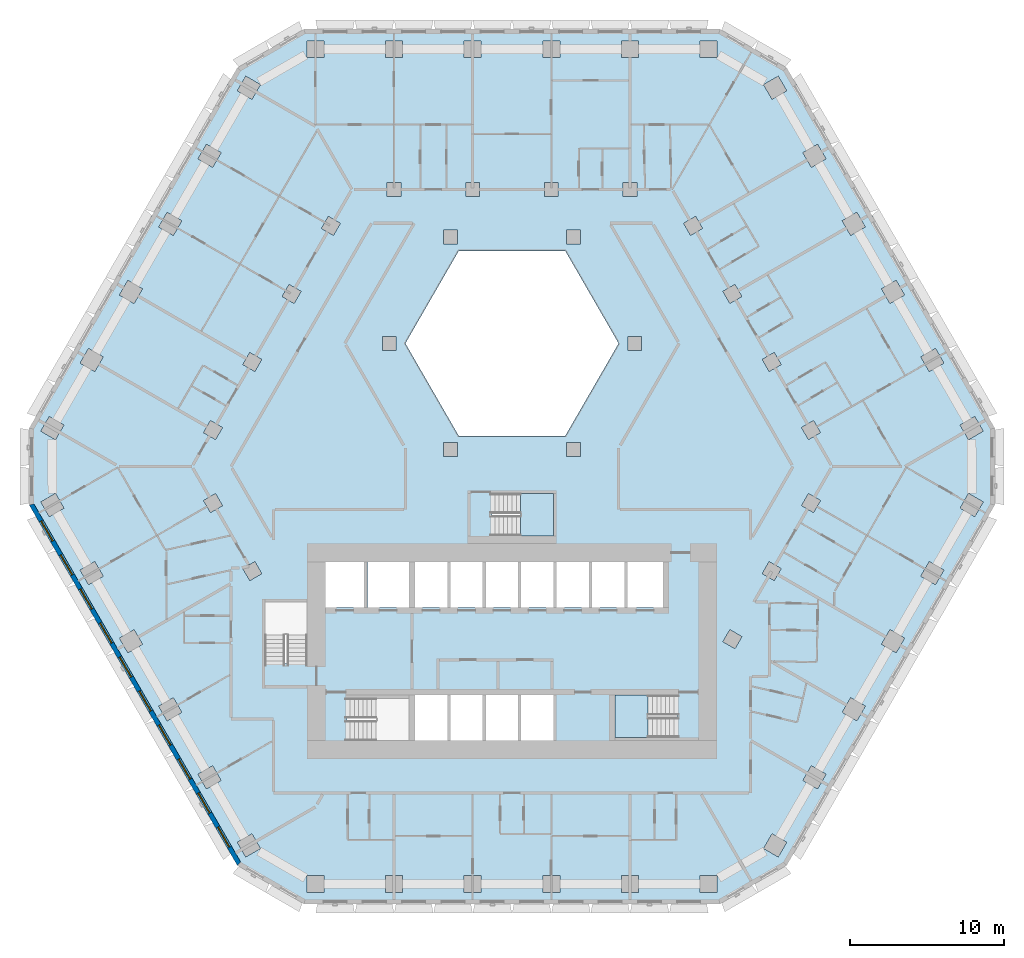
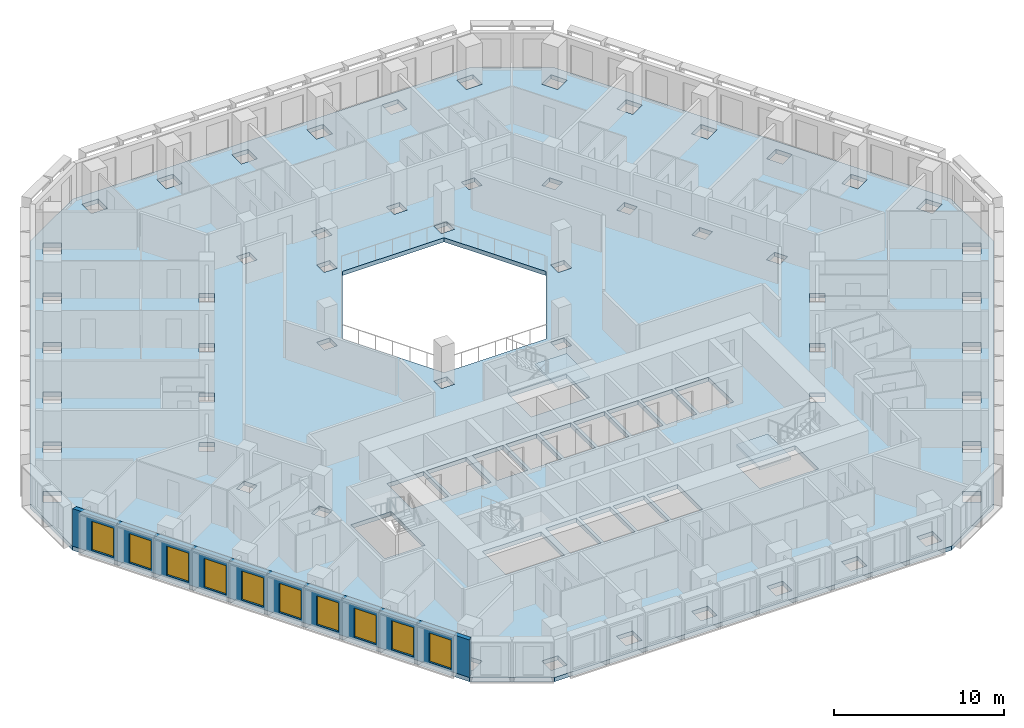
# One storey, part 2 of 21: 10 windows, 3 slabs, 1 wall, 10 openings, 2 elements without a shape of their own.
"""IFC4 building model written with IfcOpenShell, lengths in metres."""

from ifc_helpers import new_model, si_unit, direction, frame, frame_2d, origin, place, context, subcontext, project, spatial, polyline, rectangle, outline, extrude, material, layer, layer_set, type_object, element, fill, aggregate, save


model = new_model("IFC4")

# Units and contexts
model_context = context("Model", 3, precision=1e-05, world=origin(), true_north=direction((0.0, 1.0)))
body_context = subcontext(model_context, "Body", "Model", "MODEL_VIEW")
ifc_project = project(units=[si_unit("LENGTHUNIT", "METRE"), si_unit("AREAUNIT", "SQUARE_METRE"), si_unit("VOLUMEUNIT", "CUBIC_METRE"), si_unit("PLANEANGLEUNIT", "RADIAN"), si_unit("MASSUNIT", "GRAM", prefix="KILO")], contexts=[model_context])

# Site, building, storey
site_placement = place(None, origin())
site = spatial("IfcSite", under=ifc_project, at=site_placement, CompositionType="ELEMENT")
building_placement = place(site_placement, origin())
building = spatial("IfcBuilding", under=site, at=building_placement, Name="Beryl Residences", CompositionType="ELEMENT")
storey_placement = place(building_placement, frame((0.0, 0.0, 41.39990234375)))
storey = spatial("IfcBuildingStorey", under=building, at=storey_placement, Name="L12", CompositionType="ELEMENT", Elevation=41.39990234375)

# Slab
ifc_material_1 = material(Name="Concrete C40/50", Category="concrete")
ifc_layer_1 = layer(ifc_material_1, 0.300048828125)
ifc_layer_set_1 = layer_set([ifc_layer_1], Name="SL7 PT floor slab 300 mm C40/50")
slab_type_1 = type_object("IfcSlabType", Name="SL7 PT floor slab 300 mm C40/50", PredefinedType="FLOOR", material=ifc_layer_set_1)
slab_1_placement = place(storey_placement, frame((0.0, 0.0, -0.2998046875)))
element("IfcSlab", 1, at=slab_1_placement, inside=storey, type_object=slab_type_1, Name="L12 slab 1", PredefinedType="FLOOR", context=body_context, shape_type="SweptSolid", body=[
    extrude(outline(polyline([(31.35009765625, -2.5), (17.840087890625, -25.89990234375), (13.510009765625, -28.39990234375), (-13.510009765625, -28.39990234375), (-17.840087890625, -25.89990234375), (-31.35009765625, -2.5), (-31.35009765625, 2.5), (-17.840087890625, 25.89990234375), (-13.510009765625, 28.39990234375), (13.510009765625, 28.39990234375), (17.840087890625, 25.89990234375), (31.35009765625, 2.5), (31.35009765625, -2.5)]), holes=[polyline([(30.60009765625, -2.298095703125), (29.64794921875, -1.748046875), (29.097900390625, -2.699951171875), (30.050048828125, -3.25), (30.60009765625, -2.298095703125)]), polyline([(30.59912109375, 2.299072265625), (30.049072265625, 3.2509765625), (29.096923828125, 2.700927734375), (29.64697265625, 1.7490234375), (30.59912109375, 2.299072265625)]), polyline([(28.049072265625, -6.718017578125), (27.096923828125, -6.16796875), (26.547119140625, -7.1201171875), (27.4990234375, -7.669921875), (28.049072265625, -6.718017578125)]), polyline([(27.498046875, 7.672119140625), (26.5458984375, 7.1220703125), (27.095947265625, 6.169921875), (28.048095703125, 6.719970703125), (27.498046875, 7.672119140625)]), polyline([(24.544921875, -10.587890625), (23.9951171875, -11.5400390625), (24.947021484375, -12.090087890625), (25.4970703125, -11.137939453125), (24.544921875, -10.587890625)]), polyline([(25.49609375, 11.139892578125), (24.946044921875, 12.092041015625), (23.993896484375, 11.5419921875), (24.5439453125, 10.590087890625), (25.49609375, 11.139892578125)]), polyline([(22.39501953125, -16.510009765625), (22.945068359375, -15.55810546875), (21.992919921875, -15.008056640625), (21.443115234375, -15.9599609375), (22.39501953125, -16.510009765625)]), polyline([(22.39404296875, 16.511962890625), (21.44189453125, 15.9619140625), (21.991943359375, 15.010009765625), (22.944091796875, 15.56005859375), (22.39404296875, 16.511962890625)]), polyline([(20.39306640625, -19.97900390625), (19.44091796875, -19.428955078125), (18.89111328125, -20.381103515625), (19.843017578125, -20.930908203125), (20.39306640625, -19.97900390625)]), polyline([(19.842041015625, 20.931884765625), (18.889892578125, 20.382080078125), (19.43994140625, 19.429931640625), (20.39208984375, 19.97998046875), (19.842041015625, 20.931884765625)]), polyline([(20.031982421875, -2.2041015625), (19.251953125, -1.75390625), (18.802001953125, -2.533935546875), (19.58203125, -2.98388671875), (20.031982421875, -2.2041015625)]), polyline([(20.031005859375, 2.2060546875), (19.5810546875, 2.986083984375), (18.801025390625, 2.535888671875), (19.2509765625, 1.756103515625), (20.031005859375, 2.2060546875)]), polyline([(17.841064453125, -24.39892578125), (16.888916015625, -23.84912109375), (16.339111328125, -24.801025390625), (17.291015625, -25.35107421875), (17.841064453125, -24.39892578125)]), polyline([(17.840087890625, 24.39990234375), (17.2900390625, 25.35205078125), (16.337890625, 24.802001953125), (16.887939453125, 23.85009765625), (17.840087890625, 24.39990234375)]), polyline([(17.47998046875, -6.6240234375), (16.699951171875, -6.174072265625), (16.25, -6.9541015625), (17.030029296875, -7.404052734375), (17.47998046875, -6.6240234375)]), polyline([(17.029052734375, 7.406005859375), (16.2490234375, 6.9560546875), (16.698974609375, 6.176025390625), (17.47900390625, 6.6259765625), (17.029052734375, 7.406005859375)]), polyline([(14.927978515625, -11.0439453125), (14.14794921875, -10.593994140625), (13.697998046875, -11.3740234375), (14.47802734375, -11.823974609375), (14.927978515625, -11.0439453125)]), polyline([(14.927001953125, 11.0458984375), (14.47705078125, 11.825927734375), (13.697021484375, 11.3759765625), (14.14697265625, 10.595947265625), (14.927001953125, 11.0458984375)]), polyline([(13.31103515625, -27.64990234375), (13.31103515625, -26.550048828125), (12.2109375, -26.550048828125), (12.2109375, -27.64990234375), (13.31103515625, -27.64990234375)]), polyline([(13.30908203125, 27.64990234375), (12.208984375, 27.64990234375), (12.208984375, 26.550048828125), (13.30908203125, 26.550048828125), (13.30908203125, 27.64990234375)]), polyline([(11.925048828125, 16.24609375), (11.14501953125, 15.7958984375), (11.594970703125, 15.01611328125), (12.375, 15.466064453125), (11.925048828125, 16.24609375)]), polyline([(10.699951171875, -14.85009765625), (6.699951171875, -14.85009765625), (6.699951171875, -17.60009765625), (10.699951171875, -17.60009765625), (10.699951171875, -14.85009765625)]), polyline([(9.800048828125, -6.199951171875), (7.5, -6.199951171875), (7.5, -9.14990234375), (9.800048828125, -9.14990234375), (9.800048828125, -6.199951171875)]), polyline([(8.4169921875, 7.550048828125), (8.4169921875, 8.449951171875), (7.51708984375, 8.449951171875), (7.51708984375, 7.550048828125), (8.4169921875, 7.550048828125)]), polyline([(7.10693359375, -27.64990234375), (8.20703125, -27.64990234375), (8.20703125, -26.550048828125), (7.10693359375, -26.550048828125), (7.10693359375, -27.64990234375)]), polyline([(8.205078125, 27.64990234375), (7.10498046875, 27.64990234375), (7.10498046875, 26.550048828125), (8.205078125, 26.550048828125), (8.205078125, 27.64990234375)]), polyline([(7.205078125, 18.449951171875), (7.205078125, 17.550048828125), (8.10498046875, 17.550048828125), (8.10498046875, 18.449951171875), (7.205078125, 18.449951171875)]), polyline([(5.199951171875, -9.14990234375), (7.300048828125, -9.14990234375), (7.300048828125, -6.199951171875), (5.199951171875, -6.199951171875), (5.199951171875, -9.14990234375)]), polyline([(3.464111328125, 14.0), (-3.464111328125, 14.0), (-6.92822265625, 8.0), (-3.464111328125, 2.0), (3.464111328125, 2.0), (6.92822265625, 8.0), (3.464111328125, 14.0)]), polyline([(2.89990234375, -6.199951171875), (2.89990234375, -9.14990234375), (5.0, -9.14990234375), (5.0, -6.199951171875), (2.89990234375, -6.199951171875)]), polyline([(4.43408203125, 15.35009765625), (3.533935546875, 15.35009765625), (3.533935546875, 14.449951171875), (4.43408203125, 14.449951171875), (4.43408203125, 15.35009765625)]), polyline([(4.43408203125, 0.64990234375), (4.43408203125, 1.550048828125), (3.533935546875, 1.550048828125), (3.533935546875, 0.64990234375), (4.43408203125, 0.64990234375)]), polyline([(3.10302734375, -27.64990234375), (3.10302734375, -26.550048828125), (2.0029296875, -26.550048828125), (2.0029296875, -27.64990234375), (3.10302734375, -27.64990234375)]), polyline([(2.0009765625, 27.64990234375), (2.0009765625, 26.550048828125), (3.10107421875, 26.550048828125), (3.10107421875, 27.64990234375), (2.0009765625, 27.64990234375)]), polyline([(3.0009765625, 18.449951171875), (2.10107421875, 18.449951171875), (2.10107421875, 17.550048828125), (3.0009765625, 17.550048828125), (3.0009765625, 18.449951171875)]), polyline([(-1.300048828125, -1.75), (-1.300048828125, -4.5), (2.699951171875, -4.5), (2.699951171875, -1.75), (-1.300048828125, -1.75)]), polyline([(0.60009765625, -9.14990234375), (2.699951171875, -9.14990234375), (2.699951171875, -6.199951171875), (0.60009765625, -6.199951171875), (0.60009765625, -9.14990234375)]), polyline([(0.60009765625, -17.800048828125), (2.699951171875, -17.800048828125), (2.699951171875, -14.85009765625), (0.60009765625, -14.85009765625), (0.60009765625, -17.800048828125)]), polyline([(-1.699951171875, -6.199951171875), (-1.699951171875, -9.14990234375), (0.39990234375, -9.14990234375), (0.39990234375, -6.199951171875), (-1.699951171875, -6.199951171875)]), polyline([(-1.699951171875, -14.85009765625), (-1.699951171875, -17.800048828125), (0.39990234375, -17.800048828125), (0.39990234375, -14.85009765625), (-1.699951171875, -14.85009765625)]), polyline([(-4.0, -9.14990234375), (-1.89990234375, -9.14990234375), (-1.89990234375, -6.199951171875), (-4.0, -6.199951171875), (-4.0, -9.14990234375)]), polyline([(-4.0, -17.800048828125), (-1.89990234375, -17.800048828125), (-1.89990234375, -14.85009765625), (-4.0, -14.85009765625), (-4.0, -17.800048828125)]), polyline([(-2.0009765625, -27.64990234375), (-2.0009765625, -26.550048828125), (-3.10107421875, -26.550048828125), (-3.10107421875, -27.64990234375), (-2.0009765625, -27.64990234375)]), polyline([(-3.10302734375, 27.64990234375), (-3.10302734375, 26.550048828125), (-2.0029296875, 26.550048828125), (-2.0029296875, 27.64990234375), (-3.10302734375, 27.64990234375)]), polyline([(-2.10302734375, 18.449951171875), (-3.0029296875, 18.449951171875), (-3.0029296875, 17.550048828125), (-2.10302734375, 17.550048828125), (-2.10302734375, 18.449951171875)]), polyline([(-3.533935546875, 14.449951171875), (-3.533935546875, 15.35009765625), (-4.43408203125, 15.35009765625), (-4.43408203125, 14.449951171875), (-3.533935546875, 14.449951171875)]), polyline([(-3.533935546875, 0.64990234375), (-3.533935546875, 1.550048828125), (-4.43408203125, 1.550048828125), (-4.43408203125, 0.64990234375), (-3.533935546875, 0.64990234375)]), polyline([(-6.300048828125, -9.14990234375), (-4.199951171875, -9.14990234375), (-4.199951171875, -6.199951171875), (-6.300048828125, -6.199951171875), (-6.300048828125, -9.14990234375)]), polyline([(-6.300048828125, -14.85009765625), (-6.300048828125, -17.800048828125), (-4.199951171875, -17.800048828125), (-4.199951171875, -14.85009765625), (-6.300048828125, -14.85009765625)]), polyline([(-6.699951171875, -17.800048828125), (-6.699951171875, -15.050048828125), (-10.699951171875, -15.050048828125), (-10.699951171875, -17.800048828125), (-6.699951171875, -17.800048828125)]), polyline([(-9.39990234375, -6.199951171875), (-9.39990234375, -9.14990234375), (-6.699951171875, -9.14990234375), (-6.699951171875, -6.199951171875), (-9.39990234375, -6.199951171875)]), polyline([(-8.205078125, -27.64990234375), (-7.10498046875, -27.64990234375), (-7.10498046875, -26.550048828125), (-8.205078125, -26.550048828125), (-8.205078125, -27.64990234375)]), polyline([(-7.10693359375, 27.64990234375), (-8.20703125, 27.64990234375), (-8.20703125, 26.550048828125), (-7.10693359375, 26.550048828125), (-7.10693359375, 27.64990234375)]), polyline([(-8.10693359375, 18.449951171875), (-8.10693359375, 17.550048828125), (-7.20703125, 17.550048828125), (-7.20703125, 18.449951171875), (-8.10693359375, 18.449951171875)]), polyline([(-8.4169921875, 7.550048828125), (-7.51708984375, 7.550048828125), (-7.51708984375, 8.449951171875), (-8.4169921875, 8.449951171875), (-8.4169921875, 7.550048828125)]), polyline([(-12.10009765625, -6.199951171875), (-12.10009765625, -9.14990234375), (-9.60009765625, -9.14990234375), (-9.60009765625, -6.199951171875), (-12.10009765625, -6.199951171875)]), polyline([(-12.3759765625, 15.465087890625), (-11.595947265625, 15.014892578125), (-11.14599609375, 15.794921875), (-11.926025390625, 16.2451171875), (-12.3759765625, 15.465087890625)]), polyline([(-12.208984375, -26.550048828125), (-13.30908203125, -26.550048828125), (-13.30908203125, -27.64990234375), (-12.208984375, -27.64990234375), (-12.208984375, -26.550048828125)]), polyline([(-13.31103515625, 27.64990234375), (-13.31103515625, 26.550048828125), (-12.2109375, 26.550048828125), (-12.2109375, 27.64990234375), (-13.31103515625, 27.64990234375)]), polyline([(-13.300048828125, -8.800048828125), (-16.050048828125, -8.800048828125), (-16.050048828125, -12.800048828125), (-13.300048828125, -12.800048828125), (-13.300048828125, -8.800048828125)]), polyline([(-14.47802734375, 11.823974609375), (-14.927978515625, 11.0439453125), (-14.14794921875, 10.593994140625), (-13.697998046875, 11.3740234375), (-14.47802734375, 11.823974609375)]), polyline([(-17.029052734375, -7.406005859375), (-16.2490234375, -6.9560546875), (-16.698974609375, -6.176025390625), (-17.47900390625, -6.6259765625), (-17.029052734375, -7.406005859375)]), polyline([(-17.47998046875, 6.6240234375), (-16.699951171875, 6.174072265625), (-16.25, 6.9541015625), (-17.030029296875, 7.404052734375), (-17.47998046875, 6.6240234375)]), polyline([(-17.2900390625, -25.35205078125), (-16.337890625, -24.802001953125), (-16.887939453125, -23.85009765625), (-17.840087890625, -24.39990234375), (-17.2900390625, -25.35205078125)]), polyline([(-17.841064453125, 24.39892578125), (-16.888916015625, 23.84912109375), (-16.339111328125, 24.801025390625), (-17.291015625, 25.35107421875), (-17.841064453125, 24.39892578125)]), polyline([(-20.031005859375, -2.2060546875), (-19.5810546875, -2.986083984375), (-18.801025390625, -2.535888671875), (-19.2509765625, -1.756103515625), (-20.031005859375, -2.2060546875)]), polyline([(-19.58203125, 2.98388671875), (-20.031982421875, 2.2041015625), (-19.251953125, 1.75390625), (-18.802001953125, 2.533935546875), (-19.58203125, 2.98388671875)]), polyline([(-19.842041015625, -20.931884765625), (-18.889892578125, -20.382080078125), (-19.43994140625, -19.429931640625), (-20.39208984375, -19.97998046875), (-19.842041015625, -20.931884765625)]), polyline([(-20.39306640625, 19.97900390625), (-19.44091796875, 19.428955078125), (-18.89111328125, 20.381103515625), (-19.843017578125, 20.930908203125), (-20.39306640625, 19.97900390625)]), polyline([(-22.39404296875, -16.511962890625), (-21.44189453125, -15.9619140625), (-21.991943359375, -15.010009765625), (-22.944091796875, -15.56005859375), (-22.39404296875, -16.511962890625)]), polyline([(-22.945068359375, 15.55810546875), (-21.992919921875, 15.008056640625), (-21.443115234375, 15.9599609375), (-22.39501953125, 16.510009765625), (-22.945068359375, 15.55810546875)]), polyline([(-24.946044921875, -12.092041015625), (-23.993896484375, -11.5419921875), (-24.5439453125, -10.590087890625), (-25.49609375, -11.139892578125), (-24.946044921875, -12.092041015625)]), polyline([(-24.544921875, 10.587890625), (-23.9951171875, 11.5400390625), (-24.947021484375, 12.090087890625), (-25.4970703125, 11.137939453125), (-24.544921875, 10.587890625)]), polyline([(-27.498046875, -7.672119140625), (-26.5458984375, -7.1220703125), (-27.095947265625, -6.169921875), (-28.048095703125, -6.719970703125), (-27.498046875, -7.672119140625)]), polyline([(-28.049072265625, 6.718017578125), (-27.096923828125, 6.16796875), (-26.547119140625, 7.1201171875), (-27.4990234375, 7.669921875), (-28.049072265625, 6.718017578125)]), polyline([(-29.096923828125, -2.700927734375), (-29.64697265625, -1.7490234375), (-30.59912109375, -2.299072265625), (-30.049072265625, -3.2509765625), (-29.096923828125, -2.700927734375)]), polyline([(-30.60009765625, 2.298095703125), (-29.64794921875, 1.748046875), (-29.097900390625, 2.699951171875), (-30.050048828125, 3.25), (-30.60009765625, 2.298095703125)])]), origin(), (0.0, 0.0, 1.0), 0.2998046875),
])

# Stair, slab
ifc_material_2 = material(Name="Concrete C40/50", Category="concrete")
stair_type = type_object("IfcStairType", Name="ST1 protected exit stair, half-turn, 1300 mm flights", PredefinedType="HALF_TURN_STAIR", material=ifc_material_2)
stair_1_placement = place(storey_placement, origin())
stair_1 = element("IfcStair", 2, at=stair_1_placement, inside=storey, type_object=stair_type, Name="L12 PROTECTED EXIT STAIR ST-3", PredefinedType="HALF_TURN_STAIR")
ifc_material_3 = material(Name="Concrete C40/50", Category="concrete")
ifc_layer_2 = layer(ifc_material_3, 0.199951171875)
ifc_layer_set_2 = layer_set([ifc_layer_2], Name="SLD1 stair landing 200 mm")
slab_type_2 = type_object("IfcSlabType", Name="SLD1 stair landing 200 mm", PredefinedType="LANDING", material=ifc_layer_set_2)
slab_2_placement = place(storey_placement, frame((0.0, 0.0, 1.300048828125)))
slab_2 = element("IfcSlab", 3, at=slab_2_placement, type_object=slab_type_2, Name="ST-3 landing 1", PredefinedType="LANDING", context=body_context, shape_type="SweptSolid", body=[
    extrude(outline(polyline([(8.840087890625, -14.85009765625), (6.699951171875, -14.85009765625), (6.699951171875, -17.60009765625), (8.840087890625, -17.60009765625), (8.840087890625, -14.85009765625)])), origin(), (0.0, 0.0, 1.0), 0.199951171875),
])
aggregate(stair_1, [slab_2])

stair_2_placement = place(storey_placement, origin())
stair_2 = element("IfcStair", 4, at=stair_2_placement, inside=storey, type_object=stair_type, Name="L12 PROTECTED EXIT STAIR ST-4", PredefinedType="HALF_TURN_STAIR")
slab_3_placement = place(storey_placement, frame((0.0, 0.0, 1.300048828125)))
slab_3 = element("IfcSlab", 5, at=slab_3_placement, type_object=slab_type_2, Name="ST-4 landing 1", PredefinedType="LANDING", context=body_context, shape_type="SweptSolid", body=[
    extrude(outline(polyline([(0.56005859375, -4.5), (2.699951171875, -4.5), (2.699951171875, -1.75), (0.56005859375, -1.75), (0.56005859375, -4.5)])), origin(), (0.0, 0.0, 1.0), 0.199951171875),
])
aggregate(stair_2, [slab_3])

# Wall, openings, windows
ifc_material_4 = material(Name="Composite metal panel with mineral wool insulation")
ifc_layer_3 = layer(ifc_material_4, 0.300048828125)
ifc_layer_set_3 = layer_set([ifc_layer_3], Name="ES1 pale metal composite panel wall 300 mm")
wall_type = type_object("IfcWallType", Name="ES1 pale metal composite panel wall 300 mm", PredefinedType="SOLIDWALL", material=ifc_layer_set_3)
wall_placement = place(storey_placement, frame((-31.219970703125, -2.425048828125, 0.0), z_axis=(0.0, 0.0, 1.0), x_axis=(0.500001938803, -0.866024284413, 0.0)))
wall = element("IfcWall", 6, at=wall_placement, inside=storey, type_object=wall_type, Name="ES1 external wall L12 SW", PredefinedType="SOLIDWALL", context=body_context, shape_type="SweptSolid", body=[
    extrude(outline(polyline([(0.0, -0.14990234375), (27.02001953125, -0.14990234375), (26.939697265625, 0.14990234375), (0.080322265625, 0.14990234375), (0.0, -0.14990234375)])), origin(), (0.0, 0.0, 1.0), 2.7001953125),
])
opening_1_placement = place(wall_placement, frame((1.277099609375, 0.0, 0.14990234375)))
opening_1 = element("IfcOpeningElement", 7, at=opening_1_placement, cuts=wall, Name="Opening W1", PredefinedType="OPENING", context=body_context, shape_type="SweptSolid", body=[
    extrude(rectangle(XDim=1.5, YDim=2.10009765625, at=frame_2d((0.75, 1.050048828125))), frame((0.0, 0.159912109375, 0.0), z_axis=(0.0, -1.0, 0.0), x_axis=(1.0, 0.0, 0.0)), (0.0, 0.0, 1.0), 0.320068359375),
])
opening_2_placement = place(wall_placement, frame((3.8291015625, 0.0, 0.14990234375)))
opening_2 = element("IfcOpeningElement", 8, at=opening_2_placement, cuts=wall, Name="Opening W1", PredefinedType="OPENING", context=body_context, shape_type="SweptSolid", body=[
    extrude(rectangle(XDim=1.5, YDim=2.10009765625, at=frame_2d((0.75, 1.050048828125))), frame((0.0, 0.159912109375, 0.0), z_axis=(0.0, -1.0, 0.0), x_axis=(1.0, 0.0, 0.0)), (0.0, 0.0, 1.0), 0.320068359375),
])
opening_3_placement = place(wall_placement, frame((6.382080078125, 0.0, 0.14990234375)))
opening_3 = element("IfcOpeningElement", 9, at=opening_3_placement, cuts=wall, Name="Opening W1", PredefinedType="OPENING", context=body_context, shape_type="SweptSolid", body=[
    extrude(rectangle(XDim=1.5, YDim=2.10009765625, at=frame_2d((0.75, 1.050048828125))), frame((0.0, 0.159912109375, 0.0), z_axis=(0.0, -1.0, 0.0), x_axis=(1.0, 0.0, 0.0)), (0.0, 0.0, 1.0), 0.320068359375),
])
opening_4_placement = place(wall_placement, frame((8.93310546875, 0.0, 0.14990234375)))
opening_4 = element("IfcOpeningElement", 10, at=opening_4_placement, cuts=wall, Name="Opening W1", PredefinedType="OPENING", context=body_context, shape_type="SweptSolid", body=[
    extrude(rectangle(XDim=1.5, YDim=2.10009765625, at=frame_2d((0.75, 1.050048828125))), frame((0.0, 0.159912109375, 0.0), z_axis=(0.0, -1.0, 0.0), x_axis=(1.0, 0.0, 0.0)), (0.0, 0.0, 1.0), 0.320068359375),
])
opening_5_placement = place(wall_placement, frame((11.485107421875, 0.0, 0.14990234375)))
opening_5 = element("IfcOpeningElement", 11, at=opening_5_placement, cuts=wall, Name="Opening W1", PredefinedType="OPENING", context=body_context, shape_type="SweptSolid", body=[
    extrude(rectangle(XDim=1.5, YDim=2.10009765625, at=frame_2d((0.75, 1.050048828125))), frame((0.0, 0.159912109375, 0.0), z_axis=(0.0, -1.0, 0.0), x_axis=(1.0, 0.0, 0.0)), (0.0, 0.0, 1.0), 0.320068359375),
])
opening_6_placement = place(wall_placement, frame((14.037109375, 0.0, 0.14990234375)))
opening_6 = element("IfcOpeningElement", 12, at=opening_6_placement, cuts=wall, Name="Opening W1", PredefinedType="OPENING", context=body_context, shape_type="SweptSolid", body=[
    extrude(rectangle(XDim=1.5, YDim=2.10009765625, at=frame_2d((0.75, 1.050048828125))), frame((0.0, 0.159912109375, 0.0), z_axis=(0.0, -1.0, 0.0), x_axis=(1.0, 0.0, 0.0)), (0.0, 0.0, 1.0), 0.320068359375),
])
opening_7_placement = place(wall_placement, frame((16.589111328125, 0.0, 0.14990234375)))
opening_7 = element("IfcOpeningElement", 13, at=opening_7_placement, cuts=wall, Name="Opening W1", PredefinedType="OPENING", context=body_context, shape_type="SweptSolid", body=[
    extrude(rectangle(XDim=1.5, YDim=2.10009765625, at=frame_2d((0.75, 1.050048828125))), frame((0.0, 0.159912109375, 0.0), z_axis=(0.0, -1.0, 0.0), x_axis=(1.0, 0.0, 0.0)), (0.0, 0.0, 1.0), 0.320068359375),
])
opening_8_placement = place(wall_placement, frame((19.14111328125, 0.0, 0.14990234375)))
opening_8 = element("IfcOpeningElement", 14, at=opening_8_placement, cuts=wall, Name="Opening W1", PredefinedType="OPENING", context=body_context, shape_type="SweptSolid", body=[
    extrude(rectangle(XDim=1.5, YDim=2.10009765625, at=frame_2d((0.75, 1.050048828125))), frame((0.0, 0.159912109375, 0.0), z_axis=(0.0, -1.0, 0.0), x_axis=(1.0, 0.0, 0.0)), (0.0, 0.0, 1.0), 0.320068359375),
])
opening_9_placement = place(wall_placement, frame((21.693115234375, 0.0, 0.14990234375)))
opening_9 = element("IfcOpeningElement", 15, at=opening_9_placement, cuts=wall, Name="Opening W1", PredefinedType="OPENING", context=body_context, shape_type="SweptSolid", body=[
    extrude(rectangle(XDim=1.5, YDim=2.10009765625, at=frame_2d((0.75, 1.050048828125))), frame((0.0, 0.159912109375, 0.0), z_axis=(0.0, -1.0, 0.0), x_axis=(1.0, 0.0, 0.0)), (0.0, 0.0, 1.0), 0.320068359375),
])
opening_10_placement = place(wall_placement, frame((24.243896484375, 0.0, 0.14990234375)))
opening_10 = element("IfcOpeningElement", 16, at=opening_10_placement, cuts=wall, Name="Opening W1", PredefinedType="OPENING", context=body_context, shape_type="SweptSolid", body=[
    extrude(rectangle(XDim=1.5, YDim=2.10009765625, at=frame_2d((0.75, 1.050048828125))), frame((0.0, 0.159912109375, 0.0), z_axis=(0.0, -1.0, 0.0), x_axis=(1.0, 0.0, 0.0)), (0.0, 0.0, 1.0), 0.320068359375),
])
ifc_material_5 = material(Name="Aluminium and clear glass", Category="aluminium")
window_type = type_object("IfcWindowType", Name="W1 cell window 1500 x 2100 mm", PartitioningType="SINGLE_PANEL", PredefinedType="WINDOW", material=ifc_material_5)
window_1_placement = place(opening_1_placement, origin())
window_1 = element("IfcWindow", 17, at=window_1_placement, inside=storey, type_object=window_type, Name="W1 window L12 SW 1", OverallHeight=2.10009765625, OverallWidth=1.5, PartitioningType="SINGLE_PANEL", PredefinedType="WINDOW", context=body_context, shape_type="SweptSolid", body=[
    extrude(rectangle(XDim=1.5, YDim=2.10009765625, at=frame_2d((0.75, 1.050048828125))), frame((0.0, 0.030029296875, 0.0), z_axis=(0.0, -1.0, 0.0), x_axis=(1.0, 0.0, 0.0)), (0.0, 0.0, 1.0), 0.06005859375),
])
fill(opening_1, window_1)
window_2_placement = place(opening_2_placement, origin())
window_2 = element("IfcWindow", 18, at=window_2_placement, inside=storey, type_object=window_type, Name="W1 window L12 SW 2", OverallHeight=2.10009765625, OverallWidth=1.5, PartitioningType="SINGLE_PANEL", PredefinedType="WINDOW", context=body_context, shape_type="SweptSolid", body=[
    extrude(rectangle(XDim=1.5, YDim=2.10009765625, at=frame_2d((0.75, 1.050048828125))), frame((0.0, 0.030029296875, 0.0), z_axis=(0.0, -1.0, 0.0), x_axis=(1.0, 0.0, 0.0)), (0.0, 0.0, 1.0), 0.06005859375),
])
fill(opening_2, window_2)
window_3_placement = place(opening_3_placement, origin())
window_3 = element("IfcWindow", 19, at=window_3_placement, inside=storey, type_object=window_type, Name="W1 window L12 SW 3", OverallHeight=2.10009765625, OverallWidth=1.5, PartitioningType="SINGLE_PANEL", PredefinedType="WINDOW", context=body_context, shape_type="SweptSolid", body=[
    extrude(rectangle(XDim=1.5, YDim=2.10009765625, at=frame_2d((0.75, 1.050048828125))), frame((0.0, 0.030029296875, 0.0), z_axis=(0.0, -1.0, 0.0), x_axis=(1.0, 0.0, 0.0)), (0.0, 0.0, 1.0), 0.06005859375),
])
fill(opening_3, window_3)
window_4_placement = place(opening_4_placement, origin())
window_4 = element("IfcWindow", 20, at=window_4_placement, inside=storey, type_object=window_type, Name="W1 window L12 SW 4", OverallHeight=2.10009765625, OverallWidth=1.5, PartitioningType="SINGLE_PANEL", PredefinedType="WINDOW", context=body_context, shape_type="SweptSolid", body=[
    extrude(rectangle(XDim=1.5, YDim=2.10009765625, at=frame_2d((0.75, 1.050048828125))), frame((0.0, 0.030029296875, 0.0), z_axis=(0.0, -1.0, 0.0), x_axis=(1.0, 0.0, 0.0)), (0.0, 0.0, 1.0), 0.06005859375),
])
fill(opening_4, window_4)
window_5_placement = place(opening_5_placement, origin())
window_5 = element("IfcWindow", 21, at=window_5_placement, inside=storey, type_object=window_type, Name="W1 window L12 SW 5", OverallHeight=2.10009765625, OverallWidth=1.5, PartitioningType="SINGLE_PANEL", PredefinedType="WINDOW", context=body_context, shape_type="SweptSolid", body=[
    extrude(rectangle(XDim=1.5, YDim=2.10009765625, at=frame_2d((0.75, 1.050048828125))), frame((0.0, 0.030029296875, 0.0), z_axis=(0.0, -1.0, 0.0), x_axis=(1.0, 0.0, 0.0)), (0.0, 0.0, 1.0), 0.06005859375),
])
fill(opening_5, window_5)
window_6_placement = place(opening_6_placement, origin())
window_6 = element("IfcWindow", 22, at=window_6_placement, inside=storey, type_object=window_type, Name="W1 window L12 SW 6", OverallHeight=2.10009765625, OverallWidth=1.5, PartitioningType="SINGLE_PANEL", PredefinedType="WINDOW", context=body_context, shape_type="SweptSolid", body=[
    extrude(rectangle(XDim=1.5, YDim=2.10009765625, at=frame_2d((0.75, 1.050048828125))), frame((0.0, 0.030029296875, 0.0), z_axis=(0.0, -1.0, 0.0), x_axis=(1.0, 0.0, 0.0)), (0.0, 0.0, 1.0), 0.06005859375),
])
fill(opening_6, window_6)
window_7_placement = place(opening_7_placement, origin())
window_7 = element("IfcWindow", 23, at=window_7_placement, inside=storey, type_object=window_type, Name="W1 window L12 SW 7", OverallHeight=2.10009765625, OverallWidth=1.5, PartitioningType="SINGLE_PANEL", PredefinedType="WINDOW", context=body_context, shape_type="SweptSolid", body=[
    extrude(rectangle(XDim=1.5, YDim=2.10009765625, at=frame_2d((0.75, 1.050048828125))), frame((0.0, 0.030029296875, 0.0), z_axis=(0.0, -1.0, 0.0), x_axis=(1.0, 0.0, 0.0)), (0.0, 0.0, 1.0), 0.06005859375),
])
fill(opening_7, window_7)
window_8_placement = place(opening_8_placement, origin())
window_8 = element("IfcWindow", 24, at=window_8_placement, inside=storey, type_object=window_type, Name="W1 window L12 SW 8", OverallHeight=2.10009765625, OverallWidth=1.5, PartitioningType="SINGLE_PANEL", PredefinedType="WINDOW", context=body_context, shape_type="SweptSolid", body=[
    extrude(rectangle(XDim=1.5, YDim=2.10009765625, at=frame_2d((0.75, 1.050048828125))), frame((0.0, 0.030029296875, 0.0), z_axis=(0.0, -1.0, 0.0), x_axis=(1.0, 0.0, 0.0)), (0.0, 0.0, 1.0), 0.06005859375),
])
fill(opening_8, window_8)
window_9_placement = place(opening_9_placement, origin())
window_9 = element("IfcWindow", 25, at=window_9_placement, inside=storey, type_object=window_type, Name="W1 window L12 SW 9", OverallHeight=2.10009765625, OverallWidth=1.5, PartitioningType="SINGLE_PANEL", PredefinedType="WINDOW", context=body_context, shape_type="SweptSolid", body=[
    extrude(rectangle(XDim=1.5, YDim=2.10009765625, at=frame_2d((0.75, 1.050048828125))), frame((0.0, 0.030029296875, 0.0), z_axis=(0.0, -1.0, 0.0), x_axis=(1.0, 0.0, 0.0)), (0.0, 0.0, 1.0), 0.06005859375),
])
fill(opening_9, window_9)
window_10_placement = place(opening_10_placement, origin())
window_10 = element("IfcWindow", 26, at=window_10_placement, inside=storey, type_object=window_type, Name="W1 window L12 SW 10", OverallHeight=2.10009765625, OverallWidth=1.5, PartitioningType="SINGLE_PANEL", PredefinedType="WINDOW", context=body_context, shape_type="SweptSolid", body=[
    extrude(rectangle(XDim=1.5, YDim=2.10009765625, at=frame_2d((0.75, 1.050048828125))), frame((0.0, 0.030029296875, 0.0), z_axis=(0.0, -1.0, 0.0), x_axis=(1.0, 0.0, 0.0)), (0.0, 0.0, 1.0), 0.06005859375),
])
fill(opening_10, window_10)

save(model, "model.ifc")
